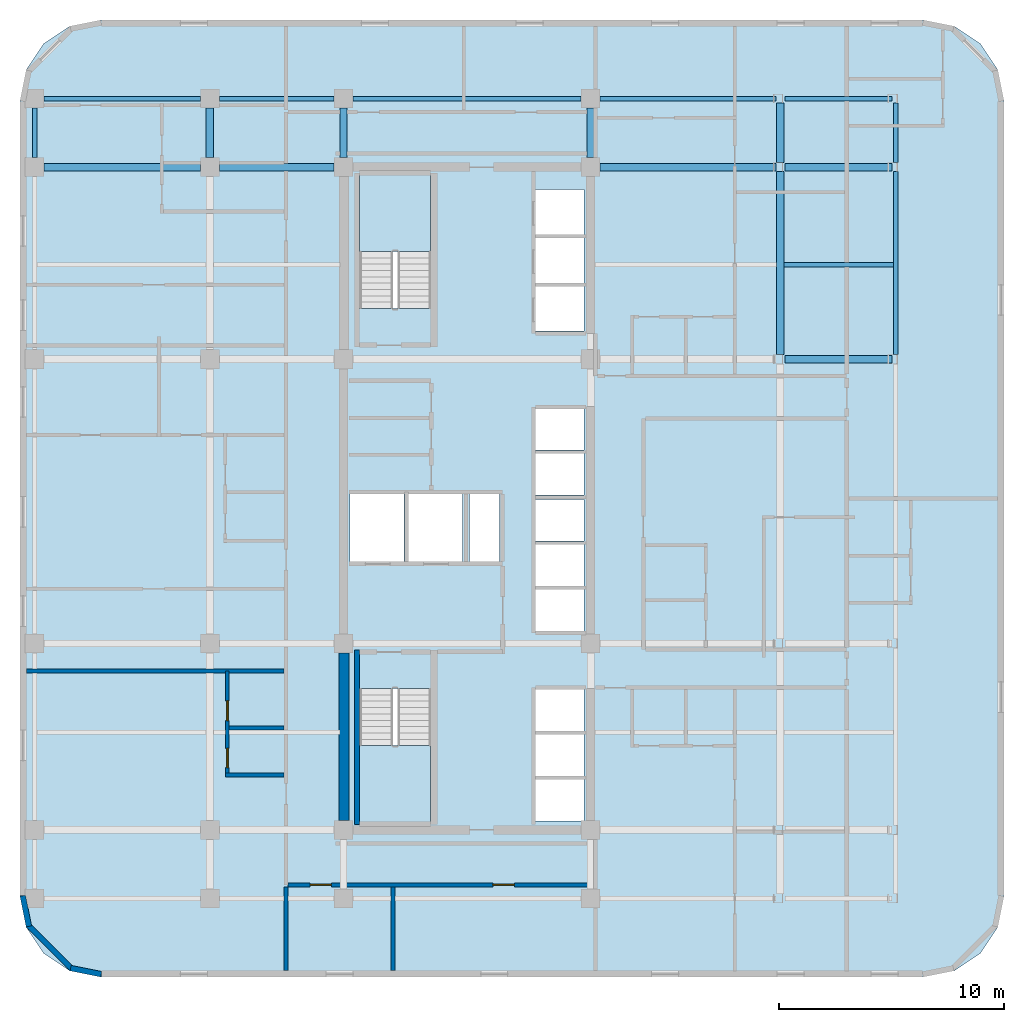
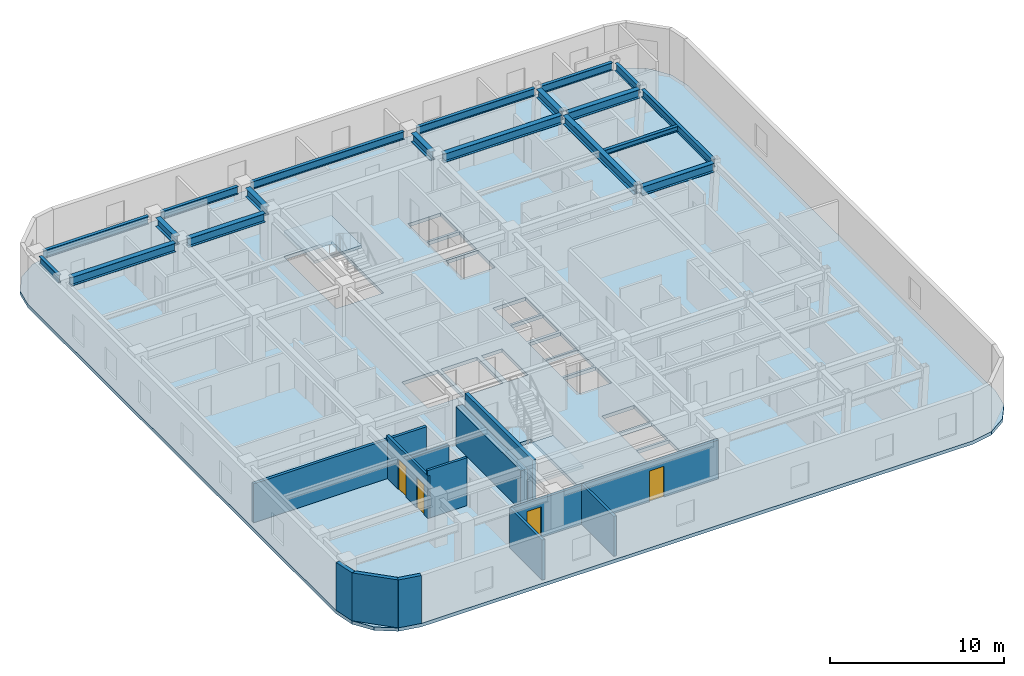
# One storey, part 2 of 8: 19 beams, 12 walls, 4 doors, 3 slabs, 4 openings, 2 elements without a shape of their own.
"""IFC4 building model written with IfcOpenShell, lengths in metres."""

from ifc_helpers import new_model, si_unit, direction, frame, frame_2d, origin, origin_2d, place, context, subcontext, project, spatial, polyline, rectangle, i_section, outline, extrude, material, layer, layer_set, material_profile, profile_set, type_object, element, fill, aggregate, save


model = new_model("IFC4")

# Units and contexts
model_context = context("Model", 3, precision=1e-05, world=origin(), true_north=direction((0.0, 1.0)))
body_context = subcontext(model_context, "Body", "Model", "MODEL_VIEW")
ifc_project = project(units=[si_unit("LENGTHUNIT", "METRE"), si_unit("AREAUNIT", "SQUARE_METRE"), si_unit("VOLUMEUNIT", "CUBIC_METRE"), si_unit("PLANEANGLEUNIT", "RADIAN"), si_unit("MASSUNIT", "GRAM", prefix="KILO")], contexts=[model_context])

# Site, building, storey
site_placement = place(None, origin())
site = spatial("IfcSite", under=ifc_project, at=site_placement, CompositionType="ELEMENT")
building_placement = place(site_placement, origin())
building = spatial("IfcBuilding", under=site, at=building_placement, Name="Ochreholt Gables", CompositionType="ELEMENT")
storey_placement = place(building_placement, frame((0.0, 0.0, 102.60009765625)))
storey = spatial("IfcBuildingStorey", under=building, at=storey_placement, Name="L26", CompositionType="ELEMENT", Elevation=102.60009765625)

# Beams
ifc_material_1 = material(Name="Steel CSA G40.21 350W", Category="steel")
ifc_material_profile_1 = material_profile(ifc_material_1, i_section(OverallWidth=0.323974609375, OverallDepth=0.611083984375, WebThickness=0.0126953125, FlangeThickness=0.01904296875, at=origin_2d()), Name="W610X155")
ifc_profile_set_1 = profile_set([ifc_material_profile_1], Name="Steel CSA G40.21 350W")
beam_type_1 = type_object("IfcBeamType", Name="BM-G-W610A", PredefinedType="BEAM", material=ifc_profile_set_1)
beam_1_placement = place(storey_placement, frame((43.855712890625, 30.199951171875, 3.054443359375), z_axis=(1.0, 0.0, 0.0), x_axis=(0.0, 1.0, 0.0)))
element("IfcBeam", 1, at=beam_1_placement, inside=storey, type_object=beam_type_1, Name="L26 Beam TBG-L26-EMEE-Y4", PredefinedType="BEAM", context=body_context, shape_type="SweptSolid", body=[
    extrude(i_section(OverallWidth=0.323974609375, OverallDepth=0.611083984375, WebThickness=0.0126953125, FlangeThickness=0.01904296875, at=origin_2d()), origin(), (0.0, 0.0, 1.0), 4.758056640625),
])
beam_2_placement = place(storey_placement, frame((10.87451171875, 38.75, 3.054443359375), z_axis=(1.0, 0.0, 0.0), x_axis=(0.0, 1.0, 0.0)))
element("IfcBeam", 2, at=beam_2_placement, inside=storey, type_object=beam_type_1, Name="L26 Beam TBG-L26-W2W3-Y5", PredefinedType="BEAM", context=body_context, shape_type="SweptSolid", body=[
    extrude(i_section(OverallWidth=0.323974609375, OverallDepth=0.611083984375, WebThickness=0.0126953125, FlangeThickness=0.01904296875, at=origin_2d()), origin(), (0.0, 0.0, 1.0), 6.950927734375),
])
beam_3_placement = place(storey_placement, frame((18.674560546875, 38.75, 3.054443359375), z_axis=(1.0, 0.0, 0.0), x_axis=(0.0, 1.0, 0.0)))
element("IfcBeam", 3, at=beam_3_placement, inside=storey, type_object=beam_type_1, Name="L26 Beam TBG-L26-W3C1-Y5", PredefinedType="BEAM", context=body_context, shape_type="SweptSolid", body=[
    extrude(i_section(OverallWidth=0.323974609375, OverallDepth=0.611083984375, WebThickness=0.0126953125, FlangeThickness=0.01904296875, at=origin_2d()), origin(), (0.0, 0.0, 1.0), 5.100830078125),
])
beam_4_placement = place(storey_placement, frame((35.62451171875, 38.75, 3.054443359375), z_axis=(1.0, 0.0, 0.0), x_axis=(0.0, 1.0, 0.0)))
element("IfcBeam", 4, at=beam_4_placement, inside=storey, type_object=beam_type_1, Name="L26 Beam TBG-L26-C2EM-Y5", PredefinedType="BEAM", context=body_context, shape_type="SweptSolid", body=[
    extrude(i_section(OverallWidth=0.323974609375, OverallDepth=0.611083984375, WebThickness=0.0126953125, FlangeThickness=0.01904296875, at=origin_2d()), origin(), (0.0, 0.0, 1.0), 7.825927734375),
])
beam_5_placement = place(storey_placement, frame((43.855712890625, 38.75, 3.054443359375), z_axis=(1.0, 0.0, 0.0), x_axis=(0.0, 1.0, 0.0)))
element("IfcBeam", 5, at=beam_5_placement, inside=storey, type_object=beam_type_1, Name="L26 Beam TBG-L26-EMEE-Y5", PredefinedType="BEAM", context=body_context, shape_type="SweptSolid", body=[
    extrude(i_section(OverallWidth=0.323974609375, OverallDepth=0.611083984375, WebThickness=0.0126953125, FlangeThickness=0.01904296875, at=origin_2d()), origin(), (0.0, 0.0, 1.0), 4.758056640625),
])
for number, where, z_axis, x_axis, name in (
    (6, (18.25, 39.174560546875, 3.054443359375), (0.0, 1.0, 0.0), (-1.0, 0.0, 0.0), "L26 Beam TBN-L26-W3-Y5Y6"),
    (7, (24.199951171875, 39.174560546875, 3.054443359375), (0.0, 1.0, 0.0), (-1.0, 0.0, 0.0), "L26 Beam TBN-L26-C1-Y5Y6"),
    (8, (35.199951171875, 39.174560546875, 3.054443359375), (0.0, 1.0, 0.0), (-1.0, 0.0, 0.0), "L26 Beam TBN-L26-C2-Y5Y6"),
):
    element("IfcBeam", number, at=place(storey_placement, frame(where, z_axis=z_axis, x_axis=x_axis)), inside=storey, type_object=beam_type_1, Name=name, PredefinedType="BEAM", context=body_context, shape_type="SweptSolid", body=[
        extrude(i_section(OverallWidth=0.323974609375, OverallDepth=0.611083984375, WebThickness=0.0126953125, FlangeThickness=0.01904296875, at=origin_2d()), origin(), (0.0, 0.0, 1.0), 2.200927734375),
    ])
beam_6_placement = place(storey_placement, frame((43.6357421875, 30.402587890625, 3.054443359375), z_axis=(0.0, 1.0, 0.0), x_axis=(-1.0, 0.0, 0.0)))
element("IfcBeam", 9, at=beam_6_placement, inside=storey, type_object=beam_type_1, Name="L26 Beam TBN-L26-EM-Y4Y5", PredefinedType="BEAM", context=body_context, shape_type="SweptSolid", body=[
    extrude(i_section(OverallWidth=0.323974609375, OverallDepth=0.611083984375, WebThickness=0.0126953125, FlangeThickness=0.01904296875, at=origin_2d()), origin(), (0.0, 0.0, 1.0), 8.144775390625),
])
beam_7_placement = place(storey_placement, frame((43.6357421875, 38.95263671875, 3.054443359375), z_axis=(0.0, 1.0, 0.0), x_axis=(-1.0, 0.0, 0.0)))
element("IfcBeam", 10, at=beam_7_placement, inside=storey, type_object=beam_type_1, Name="L26 Beam TBN-L26-EM-Y5Y6", PredefinedType="BEAM", context=body_context, shape_type="SweptSolid", body=[
    extrude(i_section(OverallWidth=0.323974609375, OverallDepth=0.611083984375, WebThickness=0.0126953125, FlangeThickness=0.01904296875, at=origin_2d()), origin(), (0.0, 0.0, 1.0), 2.644775390625),
])
ifc_material_profile_2 = material_profile(ifc_material_1, i_section(OverallWidth=0.205078125, OverallDepth=0.35400390625, WebThickness=0.009521484375, FlangeThickness=0.016845703125, at=origin_2d()), Name="W360X79")
ifc_profile_set_2 = profile_set([ifc_material_profile_2], Name="Steel CSA G40.21 350W")
beam_type_2 = type_object("IfcBeamType", Name="BM-J-W360A", PredefinedType="JOIST", material=ifc_profile_set_2)
beam_8_placement = place(storey_placement, frame((43.79736328125, 34.39990234375, 3.182861328125), z_axis=(1.0, 0.0, 0.0), x_axis=(0.0, 1.0, 0.0)))
element("IfcBeam", 11, at=beam_8_placement, inside=storey, type_object=beam_type_2, Name="L26 Beam TBJ-L26-J2-EMEE", PredefinedType="JOIST", context=body_context, shape_type="SweptSolid", body=[
    extrude(i_section(OverallWidth=0.205078125, OverallDepth=0.35400390625, WebThickness=0.009521484375, FlangeThickness=0.016845703125, at=origin_2d()), origin(), (0.0, 0.0, 1.0), 4.886474609375),
])
ifc_material_profile_3 = material_profile(ifc_material_1, i_section(OverallWidth=0.208984375, OverallDepth=0.532958984375, WebThickness=0.01025390625, FlangeThickness=0.015625, at=origin_2d()), Name="W530X92")
ifc_profile_set_3 = profile_set([ifc_material_profile_3], Name="Steel CSA G40.21 350W")
beam_type_3 = type_object("IfcBeamType", Name="BM-SP-W530B", PredefinedType="SPANDREL", material=ifc_profile_set_3)
beam_9_placement = place(storey_placement, frame((10.87451171875, 41.800048828125, 3.093505859375), z_axis=(1.0, 0.0, 0.0), x_axis=(0.0, 1.0, 0.0)))
element("IfcBeam", 12, at=beam_9_placement, inside=storey, type_object=beam_type_3, Name="L26 Beam TBG-L26-W2W3-Y6", PredefinedType="SPANDREL", context=body_context, shape_type="SweptSolid", body=[
    extrude(i_section(OverallWidth=0.208984375, OverallDepth=0.532958984375, WebThickness=0.01025390625, FlangeThickness=0.015625, at=origin_2d()), origin(), (0.0, 0.0, 1.0), 6.950927734375),
])
beam_10_placement = place(storey_placement, frame((18.674560546875, 41.800048828125, 3.093505859375), z_axis=(1.0, 0.0, 0.0), x_axis=(0.0, 1.0, 0.0)))
element("IfcBeam", 13, at=beam_10_placement, inside=storey, type_object=beam_type_3, Name="L26 Beam TBG-L26-W3C1-Y6", PredefinedType="SPANDREL", context=body_context, shape_type="SweptSolid", body=[
    extrude(i_section(OverallWidth=0.208984375, OverallDepth=0.532958984375, WebThickness=0.01025390625, FlangeThickness=0.015625, at=origin_2d()), origin(), (0.0, 0.0, 1.0), 5.100830078125),
])
beam_11_placement = place(storey_placement, frame((24.62451171875, 41.800048828125, 3.093505859375), z_axis=(1.0, 0.0, 0.0), x_axis=(0.0, 1.0, 0.0)))
element("IfcBeam", 14, at=beam_11_placement, inside=storey, type_object=beam_type_3, Name="L26 Beam TBG-L26-C1C2-Y6", PredefinedType="SPANDREL", context=body_context, shape_type="SweptSolid", body=[
    extrude(i_section(OverallWidth=0.208984375, OverallDepth=0.532958984375, WebThickness=0.01025390625, FlangeThickness=0.015625, at=origin_2d()), origin(), (0.0, 0.0, 1.0), 10.15087890625),
])
beam_12_placement = place(storey_placement, frame((35.62451171875, 41.800048828125, 3.093505859375), z_axis=(1.0, 0.0, 0.0), x_axis=(0.0, 1.0, 0.0)))
element("IfcBeam", 15, at=beam_12_placement, inside=storey, type_object=beam_type_3, Name="L26 Beam TBG-L26-C2EM-Y6", PredefinedType="SPANDREL", context=body_context, shape_type="SweptSolid", body=[
    extrude(i_section(OverallWidth=0.208984375, OverallDepth=0.532958984375, WebThickness=0.01025390625, FlangeThickness=0.015625, at=origin_2d()), origin(), (0.0, 0.0, 1.0), 7.825927734375),
])
beam_13_placement = place(storey_placement, frame((43.855712890625, 41.800048828125, 3.093505859375), z_axis=(1.0, 0.0, 0.0), x_axis=(0.0, 1.0, 0.0)))
element("IfcBeam", 16, at=beam_13_placement, inside=storey, type_object=beam_type_3, Name="L26 Beam TBG-L26-EMEE-Y6", PredefinedType="SPANDREL", context=body_context, shape_type="SweptSolid", body=[
    extrude(i_section(OverallWidth=0.208984375, OverallDepth=0.532958984375, WebThickness=0.01025390625, FlangeThickness=0.015625, at=origin_2d()), origin(), (0.0, 0.0, 1.0), 4.758056640625),
])
beam_14_placement = place(storey_placement, frame((10.449951171875, 39.174560546875, 3.093505859375), z_axis=(0.0, 1.0, 0.0), x_axis=(-1.0, 0.0, 0.0)))
element("IfcBeam", 17, at=beam_14_placement, inside=storey, type_object=beam_type_3, Name="L26 Beam TBN-L26-W2-Y5Y6", PredefinedType="SPANDREL", context=body_context, shape_type="SweptSolid", body=[
    extrude(i_section(OverallWidth=0.208984375, OverallDepth=0.532958984375, WebThickness=0.01025390625, FlangeThickness=0.015625, at=origin_2d()), origin(), (0.0, 0.0, 1.0), 2.200927734375),
])
beam_15_placement = place(storey_placement, frame((48.7880859375, 30.402587890625, 3.093505859375), z_axis=(0.0, 1.0, 0.0), x_axis=(-1.0, 0.0, 0.0)))
element("IfcBeam", 18, at=beam_15_placement, inside=storey, type_object=beam_type_3, Name="L26 Beam TBN-L26-EE-Y4Y5", PredefinedType="SPANDREL", context=body_context, shape_type="SweptSolid", body=[
    extrude(i_section(OverallWidth=0.208984375, OverallDepth=0.532958984375, WebThickness=0.01025390625, FlangeThickness=0.015625, at=origin_2d()), origin(), (0.0, 0.0, 1.0), 8.144775390625),
])
beam_16_placement = place(storey_placement, frame((48.7880859375, 38.95263671875, 3.093505859375), z_axis=(0.0, 1.0, 0.0), x_axis=(-1.0, 0.0, 0.0)))
element("IfcBeam", 19, at=beam_16_placement, inside=storey, type_object=beam_type_3, Name="L26 Beam TBN-L26-EE-Y5Y6", PredefinedType="SPANDREL", context=body_context, shape_type="SweptSolid", body=[
    extrude(i_section(OverallWidth=0.208984375, OverallDepth=0.532958984375, WebThickness=0.01025390625, FlangeThickness=0.015625, at=origin_2d()), origin(), (0.0, 0.0, 1.0), 2.644775390625),
])

# Stair, slab
ifc_material_2 = material(Name="Concrete 40 MPa", Category="concrete")
stair_type_1 = type_object("IfcStairType", Name="STAIR-CORE-ST-1", PredefinedType="HALF_TURN_STAIR", material=ifc_material_2)
stair_1_placement = place(storey_placement, origin())
stair_1 = element("IfcStair", 20, at=stair_1_placement, inside=storey, type_object=stair_type_1, Name="L26 Core Exit Stair 1", PredefinedType="HALF_TURN_STAIR")
ifc_layer_1 = layer(ifc_material_2, 0.199951171875, Name="Concrete 40 MPa")
ifc_layer_set_1 = layer_set([ifc_layer_1], Name="Concrete 40 MPa")
slab_type_1 = type_object("IfcSlabType", Name="LANDING-RC200", PredefinedType="LANDING", material=ifc_layer_set_1)
slab_1_placement = place(storey_placement, frame((0.0, 0.0, 1.599853515625)))
slab_1 = element("IfcSlab", 21, at=slab_1_placement, type_object=slab_type_1, Name="ST-1 landing 1", PredefinedType="LANDING", context=body_context, shape_type="SweptSolid", body=[
    extrude(outline(polyline([(24.919921875, 13.001953125), (24.919921875, 9.52001953125), (28.080078125, 9.52001953125), (28.080078125, 13.001953125), (24.919921875, 13.001953125)])), origin(), (0.0, 0.0, 1.0), 0.199951171875),
])
aggregate(stair_1, [slab_1])

stair_type_2 = type_object("IfcStairType", Name="STAIR-CORE-ST-2", PredefinedType="HALF_TURN_STAIR", material=ifc_material_2)
stair_2_placement = place(storey_placement, origin())
stair_2 = element("IfcStair", 22, at=stair_2_placement, inside=storey, type_object=stair_type_2, Name="L26 Core Exit Stair 2", PredefinedType="HALF_TURN_STAIR")
slab_2_placement = place(storey_placement, frame((0.0, 0.0, 1.599853515625)))
slab_2 = element("IfcSlab", 23, at=slab_2_placement, type_object=slab_type_1, Name="ST-2 landing 1", PredefinedType="LANDING", context=body_context, shape_type="SweptSolid", body=[
    extrude(outline(polyline([(28.080078125, 34.998046875), (28.080078125, 38.47998046875), (24.919921875, 38.47998046875), (24.919921875, 34.998046875), (28.080078125, 34.998046875)])), origin(), (0.0, 0.0, 1.0), 0.199951171875),
])
aggregate(stair_2, [slab_2])

# Slab
ifc_layer_2 = layer(ifc_material_2, 0.239990234375, Name="Concrete 40 MPa")
ifc_layer_set_2 = layer_set([ifc_layer_2], Name="Concrete 40 MPa")
slab_type_2 = type_object("IfcSlabType", Name="SLAB-TWR-240", PredefinedType="FLOOR", material=ifc_layer_set_2)
slab_3_placement = place(storey_placement, frame((0.0, 0.0, -0.239990234375)))
element("IfcSlab", 24, at=slab_3_placement, inside=storey, type_object=slab_type_2, Name="L26 Structural Floor Slab", PredefinedType="FLOOR", context=body_context, shape_type="SweptSolid", body=[
    extrude(outline(polyline([(9.800048828125, 6.300048828125), (10.073974609375, 4.92236328125), (10.8544921875, 3.75439453125), (12.022216796875, 2.97412109375), (13.39990234375, 2.699951171875), (50.0, 2.699951171875), (51.377685546875, 2.97412109375), (52.545654296875, 3.75439453125), (53.325927734375, 4.92236328125), (53.60009765625, 6.300048828125), (53.60009765625, 41.699951171875), (53.325927734375, 43.07763671875), (52.545654296875, 44.24560546875), (51.377685546875, 45.02587890625), (50.0, 45.300048828125), (13.39990234375, 45.300048828125), (12.022216796875, 45.02587890625), (10.8544921875, 44.24560546875), (10.073974609375, 43.07763671875), (9.800048828125, 41.699951171875), (9.800048828125, 6.300048828125)]), holes=[polyline([(24.919921875, 15.539306640625), (24.919921875, 9.52001953125), (28.080078125, 9.52001953125), (28.080078125, 15.539306640625), (24.919921875, 15.539306640625)]), polyline([(28.080078125, 32.460693359375), (28.080078125, 38.47998046875), (24.919921875, 38.47998046875), (24.919921875, 32.460693359375), (28.080078125, 32.460693359375)]), polyline([(24.5, 21.199951171875), (26.89990234375, 21.199951171875), (26.89990234375, 24.199951171875), (24.5, 24.199951171875), (24.5, 21.199951171875)]), polyline([(27.10009765625, 21.199951171875), (29.5, 21.199951171875), (29.5, 24.199951171875), (27.10009765625, 24.199951171875), (27.10009765625, 21.199951171875)]), polyline([(32.75, 9.64990234375), (34.89990234375, 9.64990234375), (34.89990234375, 11.5), (32.75, 11.5), (32.75, 9.64990234375)]), polyline([(32.75, 11.64990234375), (34.89990234375, 11.64990234375), (34.89990234375, 13.5), (32.75, 13.5), (32.75, 11.64990234375)]), polyline([(32.75, 13.64990234375), (34.89990234375, 13.64990234375), (34.89990234375, 15.5), (32.75, 15.5), (32.75, 13.64990234375)]), polyline([(32.75, 18.10009765625), (34.89990234375, 18.10009765625), (34.89990234375, 19.949951171875), (32.75, 19.949951171875), (32.75, 18.10009765625)]), polyline([(32.75, 20.10009765625), (34.89990234375, 20.10009765625), (34.89990234375, 21.949951171875), (32.75, 21.949951171875), (32.75, 20.10009765625)]), polyline([(32.75, 22.10009765625), (34.89990234375, 22.10009765625), (34.89990234375, 23.949951171875), (32.75, 23.949951171875), (32.75, 22.10009765625)]), polyline([(32.75, 24.14990234375), (34.89990234375, 24.14990234375), (34.89990234375, 26.0), (32.75, 26.0), (32.75, 24.14990234375)]), polyline([(32.75, 26.14990234375), (34.89990234375, 26.14990234375), (34.89990234375, 28.0), (32.75, 28.0), (32.75, 26.14990234375)]), polyline([(32.75, 31.449951171875), (34.89990234375, 31.449951171875), (34.89990234375, 33.449951171875), (32.75, 33.449951171875), (32.75, 31.449951171875)]), polyline([(32.75, 33.60009765625), (34.89990234375, 33.60009765625), (34.89990234375, 35.60009765625), (32.75, 35.60009765625), (32.75, 33.60009765625)]), polyline([(32.75, 35.75), (34.89990234375, 35.75), (34.89990234375, 37.75), (32.75, 37.75), (32.75, 35.75)]), polyline([(29.800048828125, 21.199951171875), (31.14990234375, 21.199951171875), (31.14990234375, 24.199951171875), (29.800048828125, 24.199951171875), (29.800048828125, 21.199951171875)])]), origin(), (0.0, 0.0, 1.0), 0.239990234375),
])

# Walls
ifc_material_3 = material(Name="Concrete 60 MPa", Category="concrete")
ifc_layer_3 = layer(ifc_material_3, 0.449951171875, Name="Concrete 60 MPa")
ifc_layer_set_3 = layer_set([ifc_layer_3], Name="Concrete 60 MPa")
wall_type_1 = type_object("IfcWallType", Name="WALL-CSW-450", PredefinedType="SHEAR", material=ifc_layer_set_3)
wall_1_placement = place(storey_placement, frame((24.22509765625, 9.675048828125, 0.0), z_axis=(0.0, 0.0, 1.0), x_axis=(0.0, 1.0, 0.0)))
element("IfcWall", 25, at=wall_1_placement, inside=storey, type_object=wall_type_1, Name="L26 Core West Shear Wall WS", PredefinedType="SHEAR", context=body_context, shape_type="SweptSolid", body=[
    extrude(rectangle(XDim=7.449951171875, YDim=0.449951171875, at=frame_2d((3.72509765625, 0.0))), origin(), (0.0, 0.0, 1.0), 2.7490234375),
])
ifc_material_4 = material(Name="Precast concrete 40 MPa", Category="concrete")
ifc_layer_4 = layer(ifc_material_4, 0.25, Name="Precast concrete 40 MPa")
ifc_layer_set_4 = layer_set([ifc_layer_4], Name="Precast concrete 40 MPa")
wall_type_2 = type_object("IfcWallType", Name="WALL-EXT-CNR", PredefinedType="SOLIDWALL", material=ifc_layer_set_4)
wall_2_placement = place(storey_placement, frame((9.92431640625, 6.31640625, 0.0), z_axis=(0.0, 0.0, 1.0), x_axis=(0.195000137217, -0.980803214965, 0.0)))
element("IfcWall", 26, at=wall_2_placement, inside=storey, type_object=wall_type_2, Name="L26 Rounded Corner Wall SW-1", PredefinedType="SOLIDWALL", context=body_context, shape_type="SweptSolid", body=[
    extrude(rectangle(XDim=1.388427734375, YDim=0.25, at=frame_2d((0.6943359375, 0.0))), origin(), (0.0, 0.0, 1.0), 3.35986328125),
])
wall_3_placement = place(storey_placement, frame((10.16796875, 5.0048828125, 0.0), z_axis=(0.0, 0.0, 1.0), x_axis=(0.707151344399, -0.707062215165, 0.0)))
element("IfcWall", 27, at=wall_3_placement, inside=storey, type_object=wall_type_2, Name="L26 Rounded Corner Wall SW-2", PredefinedType="SOLIDWALL", context=body_context, shape_type="SweptSolid", body=[
    extrude(rectangle(XDim=2.7392578125, YDim=0.25, at=frame_2d((1.36962890625, 0.0))), origin(), (0.0, 0.0, 1.0), 3.35986328125),
])
wall_4_placement = place(storey_placement, frame((12.054443359375, 3.094970703125, 0.0), z_axis=(0.0, 0.0, 1.0), x_axis=(0.980809899341, -0.19496651342, 0.0)))
element("IfcWall", 28, at=wall_4_placement, inside=storey, type_object=wall_type_2, Name="L26 Rounded Corner Wall SW-3", PredefinedType="SOLIDWALL", context=body_context, shape_type="SweptSolid", body=[
    extrude(rectangle(XDim=1.388671875, YDim=0.25, at=frame_2d((0.6943359375, 0.0))), origin(), (0.0, 0.0, 1.0), 3.35986328125),
])

# Wall, openings, doors
ifc_material_5 = material(Name="Fire-Rated Gypsum Acoustic Partition", Category="gypsum")
ifc_layer_5 = layer(ifc_material_5, 0.179931640625, Name="Fire-Rated Gypsum Acoustic Partition")
ifc_layer_set_5 = layer_set([ifc_layer_5], Name="Fire-Rated Gypsum Acoustic Partition")
wall_type_3 = type_object("IfcWallType", Name="WALL-INT-CR180", PredefinedType="STANDARD", material=ifc_layer_set_5)
wall_5_placement = place(storey_placement, frame((21.739990234375, 6.800048828125, 0.0), z_axis=(0.0, 0.0, 1.0), x_axis=(1.0, 0.0, 0.0)))
wall_5 = element("IfcWall", 29, at=wall_5_placement, inside=storey, type_object=wall_type_3, Name="L26 Interior Wall WI-C2WCS-L26", PredefinedType="STANDARD", context=body_context, shape_type="SweptSolid", body=[
    extrude(rectangle(XDim=13.679931640625, YDim=0.179931640625, at=frame_2d((6.83984375, 0.0))), origin(), (0.0, 0.0, 1.0), 2.73095703125),
])
opening_1_placement = place(wall_5_placement, frame((0.969970703125, 0.0, 0.0)))
opening_1 = element("IfcOpeningElement", 30, at=opening_1_placement, cuts=wall_5, Name="Opening D-GN1", PredefinedType="OPENING", context=body_context, shape_type="SweptSolid", body=[
    extrude(rectangle(XDim=0.949951171875, YDim=2.14990234375, at=frame_2d((0.47509765625, 1.074951171875))), frame((0.0, 0.099853515625, 0.0), z_axis=(0.0, -1.0, 0.0), x_axis=(1.0, 0.0, 0.0)), (0.0, 0.0, 1.0), 0.199951171875),
])
opening_2_placement = place(wall_5_placement, frame((9.110107421875, 0.0, 0.0)))
opening_2 = element("IfcOpeningElement", 31, at=opening_2_placement, cuts=wall_5, Name="Opening D-GN1", PredefinedType="OPENING", context=body_context, shape_type="SweptSolid", body=[
    extrude(rectangle(XDim=0.949951171875, YDim=2.14990234375, at=frame_2d((0.47509765625, 1.074951171875))), frame((0.0, 0.099853515625, 0.0), z_axis=(0.0, -1.0, 0.0), x_axis=(1.0, 0.0, 0.0)), (0.0, 0.0, 1.0), 0.199951171875),
])
ifc_material_6 = material(Name="Engineered Oak Timber", Category="wood")
door_type_1 = type_object("IfcDoorType", Name="DR-INT-GEN950", OperationType="NOTDEFINED", PredefinedType="DOOR", material=ifc_material_6)
door_1_placement = place(opening_1_placement, origin())
door_1 = element("IfcDoor", 32, at=door_1_placement, inside=storey, type_object=door_type_1, Name="L26 Door D-C2STL1-L26", OperationType="SINGLE_SWING_LEFT", OverallHeight=2.14990234375, OverallWidth=0.949951171875, PredefinedType="DOOR", context=body_context, shape_type="SweptSolid", body=[
    extrude(rectangle(XDim=0.949951171875, YDim=2.14990234375, at=frame_2d((0.47509765625, 1.074951171875))), frame((0.0, 0.02490234375, 0.0), z_axis=(0.0, -1.0, 0.0), x_axis=(1.0, 0.0, 0.0)), (0.0, 0.0, 1.0), 0.050048828125),
])
fill(opening_1, door_1)
door_2_placement = place(opening_2_placement, origin())
door_2 = element("IfcDoor", 33, at=door_2_placement, inside=storey, type_object=door_type_1, Name="L26 Door D-C2STL2-L26", OperationType="SINGLE_SWING_RIGHT", OverallHeight=2.14990234375, OverallWidth=0.949951171875, PredefinedType="DOOR", context=body_context, shape_type="SweptSolid", body=[
    extrude(rectangle(XDim=0.949951171875, YDim=2.14990234375, at=frame_2d((0.47509765625, 1.074951171875))), frame((0.0, 0.02490234375, 0.0), z_axis=(0.0, -1.0, 0.0), x_axis=(1.0, 0.0, 0.0)), (0.0, 0.0, 1.0), 0.050048828125),
])
fill(opening_2, door_2)

# Walls
ifc_material_7 = material(Name="Double-Stud Acoustic Demising Wall", Category="gypsum")
ifc_layer_6 = layer(ifc_material_7, 0.179931640625, Name="Double-Stud Acoustic Demising Wall")
ifc_layer_set_6 = layer_set([ifc_layer_6], Name="Double-Stud Acoustic Demising Wall")
wall_type_4 = type_object("IfcWallType", Name="WALL-INT-DM180", PredefinedType="PARTITIONING", material=ifc_layer_set_6)
wall_6_placement = place(storey_placement, frame((21.64990234375, 2.97998046875, 0.0), z_axis=(0.0, 0.0, 1.0), x_axis=(0.0, 1.0, 0.0)))
element("IfcWall", 34, at=wall_6_placement, inside=storey, type_object=wall_type_4, Name="L26 Interior Wall WI-C2WWS-L26", PredefinedType="PARTITIONING", context=body_context, shape_type="SweptSolid", body=[
    extrude(rectangle(XDim=3.72998046875, YDim=0.179931640625, at=frame_2d((1.864990234375, 0.0))), origin(), (0.0, 0.0, 1.0), 2.808837890625),
])
wall_7_placement = place(storey_placement, frame((10.080078125, 16.33203125, 0.0), z_axis=(0.0, 0.0, 1.0), x_axis=(1.0, 0.0, 0.0)))
element("IfcWall", 35, at=wall_7_placement, inside=storey, type_object=wall_type_4, Name="L26 Interior Wall WI-C2UDW2-L26", PredefinedType="PARTITIONING", context=body_context, shape_type="SweptSolid", body=[
    extrude(rectangle(XDim=11.47998046875, YDim=0.179931640625, at=frame_2d((5.739990234375, 0.0))), origin(), (0.0, 0.0, 1.0), 2.73095703125),
])
ifc_material_8 = material(Name="Moisture-Resistant Plumbing Chase Wall", Category="gypsum")
ifc_layer_7 = layer(ifc_material_8, 0.159912109375, Name="Moisture-Resistant Plumbing Chase Wall")
ifc_layer_set_7 = layer_set([ifc_layer_7], Name="Moisture-Resistant Plumbing Chase Wall")
wall_type_5 = type_object("IfcWallType", Name="WALL-INT-PL160", PredefinedType="PLUMBINGWALL", material=ifc_layer_set_7)
wall_8_placement = place(storey_placement, frame((18.9541015625, 11.69189453125, 0.0), z_axis=(0.0, 0.0, 1.0), x_axis=(1.0, 0.0, 0.0)))
element("IfcWall", 36, at=wall_8_placement, inside=storey, type_object=wall_type_5, Name="L26 Interior Wall WU-L26W1-WYS", PredefinedType="PLUMBINGWALL", context=body_context, shape_type="SweptSolid", body=[
    extrude(rectangle(XDim=2.60595703125, YDim=0.159912109375, at=frame_2d((1.302978515625, 0.0))), origin(), (0.0, 0.0, 1.0), 3.35986328125),
])

# Wall, openings, doors
wall_9_placement = place(storey_placement, frame((19.033935546875, 11.60205078125, 0.0), z_axis=(0.0, 0.0, 1.0), x_axis=(0.0, 1.0, 0.0)))
wall_9 = element("IfcWall", 37, at=wall_9_placement, inside=storey, type_object=wall_type_5, Name="L26 Interior Wall WU-L26W1-WX", PredefinedType="PLUMBINGWALL", context=body_context, shape_type="SweptSolid", body=[
    extrude(rectangle(XDim=4.72998046875, YDim=0.159912109375, at=frame_2d((2.364990234375, 0.0))), origin(), (0.0, 0.0, 1.0), 2.98779296875),
])
opening_3_placement = place(wall_9_placement, frame((0.419921875, 0.0, 0.0)))
opening_3 = element("IfcOpeningElement", 38, at=opening_3_placement, cuts=wall_9, Name="Opening D-BT1", PredefinedType="OPENING", context=body_context, shape_type="SweptSolid", body=[
    extrude(rectangle(XDim=0.860107421875, YDim=2.1201171875, at=frame_2d((0.43017578125, 1.06005859375))), frame((0.0, 0.08984375, 0.0), z_axis=(0.0, -1.0, 0.0), x_axis=(1.0, 0.0, 0.0)), (0.0, 0.0, 1.0), 0.179931640625),
])
opening_4_placement = place(wall_9_placement, frame((2.512939453125, 0.0, 0.0)))
opening_4 = element("IfcOpeningElement", 39, at=opening_4_placement, cuts=wall_9, Name="Opening D-GN2", PredefinedType="OPENING", context=body_context, shape_type="SweptSolid", body=[
    extrude(rectangle(XDim=0.8798828125, YDim=2.1201171875, at=frame_2d((0.43994140625, 1.06005859375))), frame((0.0, 0.08984375, 0.0), z_axis=(0.0, -1.0, 0.0), x_axis=(1.0, 0.0, 0.0)), (0.0, 0.0, 1.0), 0.179931640625),
])
door_type_2 = type_object("IfcDoorType", Name="DR-INT-BTH860", OperationType="NOTDEFINED", PredefinedType="DOOR", material=ifc_material_6)
door_3_placement = place(opening_3_placement, origin())
door_3 = element("IfcDoor", 40, at=door_3_placement, inside=storey, type_object=door_type_2, Name="L26 Door D-U-L26W1-BTH", OperationType="SINGLE_SWING_RIGHT", OverallHeight=2.1201171875, OverallWidth=0.860107421875, PredefinedType="DOOR", context=body_context, shape_type="SweptSolid", body=[
    extrude(rectangle(XDim=0.860107421875, YDim=2.1201171875, at=frame_2d((0.43017578125, 1.06005859375))), frame((0.0, 0.02490234375, 0.0), z_axis=(0.0, -1.0, 0.0), x_axis=(1.0, 0.0, 0.0)), (0.0, 0.0, 1.0), 0.050048828125),
])
fill(opening_3, door_3)
door_type_3 = type_object("IfcDoorType", Name="DR-INT-GEN880", OperationType="NOTDEFINED", PredefinedType="DOOR", material=ifc_material_6)
door_4_placement = place(opening_4_placement, origin())
door_4 = element("IfcDoor", 41, at=door_4_placement, inside=storey, type_object=door_type_3, Name="L26 Door D-U-L26W1-KIT", OperationType="SINGLE_SWING_LEFT", OverallHeight=2.1201171875, OverallWidth=0.8798828125, PredefinedType="DOOR", context=body_context, shape_type="SweptSolid", body=[
    extrude(rectangle(XDim=0.8798828125, YDim=2.1201171875, at=frame_2d((0.43994140625, 1.06005859375))), frame((0.0, 0.02490234375, 0.0), z_axis=(0.0, -1.0, 0.0), x_axis=(1.0, 0.0, 0.0)), (0.0, 0.0, 1.0), 0.050048828125),
])
fill(opening_4, door_4)

# Walls
wall_10_placement = place(storey_placement, frame((19.114013671875, 13.784912109375, 0.0), z_axis=(0.0, 0.0, 1.0), x_axis=(1.0, 0.0, 0.0)))
element("IfcWall", 42, at=wall_10_placement, inside=storey, type_object=wall_type_5, Name="L26 Interior Wall WU-L26W1-WM", PredefinedType="PLUMBINGWALL", context=body_context, shape_type="SweptSolid", body=[
    extrude(rectangle(XDim=2.446044921875, YDim=0.159912109375, at=frame_2d((1.22314453125, 0.0))), origin(), (0.0, 0.0, 1.0), 2.98779296875),
])
ifc_material_9 = material(Name="Gypsum Acoustic Stud Partition", Category="gypsum")
ifc_layer_8 = layer(ifc_material_9, 0.1650390625, Name="Gypsum Acoustic Stud Partition")
ifc_layer_set_8 = layer_set([ifc_layer_8], Name="Gypsum Acoustic Stud Partition")
wall_type_6 = type_object("IfcWallType", Name="WALL-INT-PT165", PredefinedType="PARTITIONING", material=ifc_layer_set_8)
wall_11_placement = place(storey_placement, frame((26.39990234375, 2.97998046875, 0.0), z_axis=(0.0, 0.0, 1.0), x_axis=(0.0, 1.0, 0.0)))
element("IfcWall", 43, at=wall_11_placement, inside=storey, type_object=wall_type_6, Name="L26 Interior Wall WI-C2PKS-L26", PredefinedType="PARTITIONING", context=body_context, shape_type="SweptSolid", body=[
    extrude(rectangle(XDim=3.72998046875, YDim=0.1650390625, at=frame_2d((1.864990234375, 0.0))), origin(), (0.0, 0.0, 1.0), 2.808837890625),
])
ifc_material_10 = material(Name="Concrete 50 MPa", Category="concrete")
ifc_layer_9 = layer(ifc_material_10, 0.219970703125, Name="Concrete 50 MPa")
ifc_layer_set_9 = layer_set([ifc_layer_9], Name="Concrete 50 MPa")
wall_type_7 = type_object("IfcWallType", Name="WALL-STW-220", PredefinedType="SHEAR", material=ifc_layer_set_9)
wall_12_placement = place(storey_placement, frame((24.81005859375, 9.5, 0.0), z_axis=(0.0, 0.0, 1.0), x_axis=(0.0, 1.0, 0.0)))
element("IfcWall", 44, at=wall_12_placement, inside=storey, type_object=wall_type_7, Name="L26 Exit Stair 1 West Wall", PredefinedType="SHEAR", context=body_context, shape_type="SweptSolid", body=[
    extrude(rectangle(XDim=7.760009765625, YDim=0.219970703125, at=frame_2d((3.8798828125, 0.0))), origin(), (0.0, 0.0, 1.0), 3.35986328125),
])

save(model, "model.ifc")
